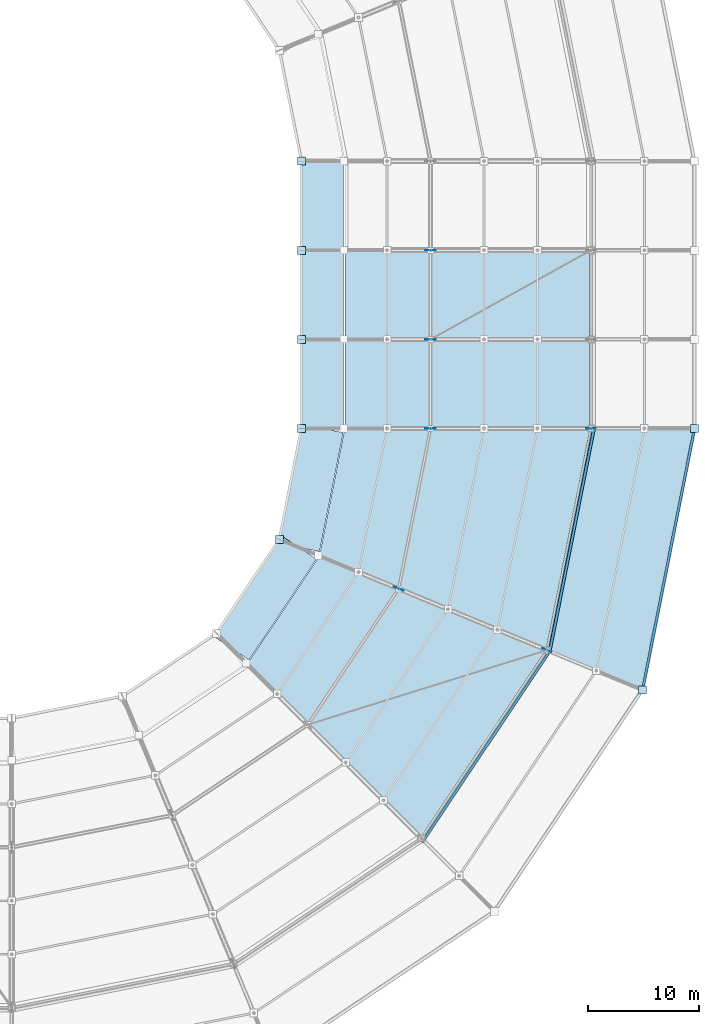
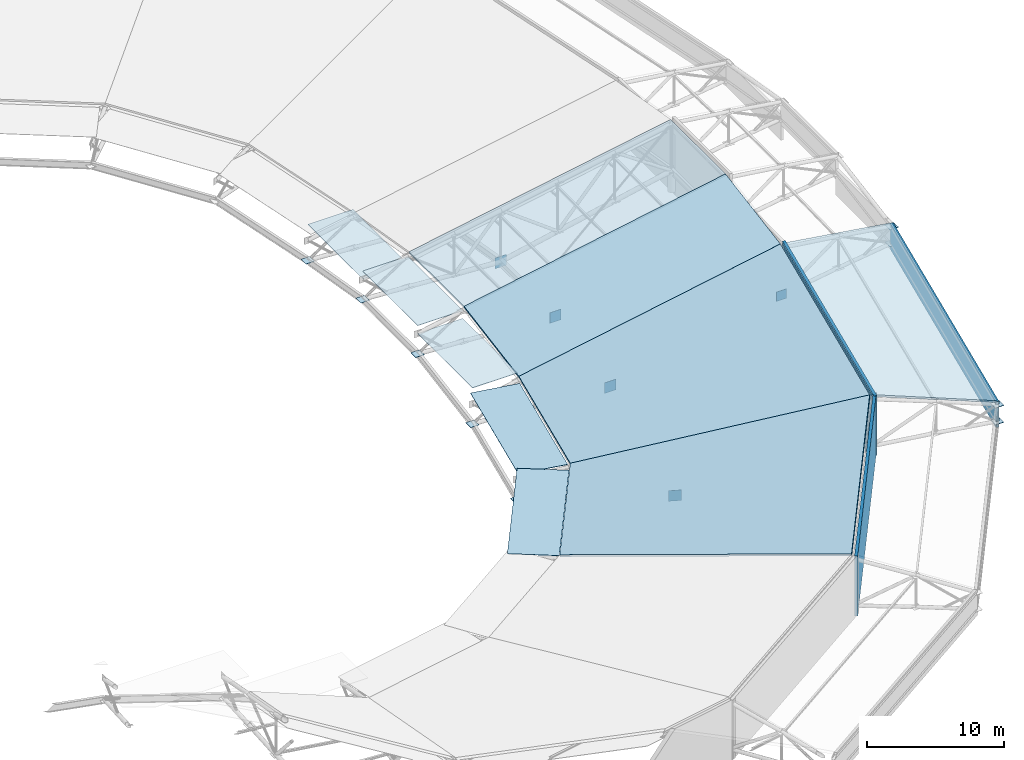
# One storey, part 115 of 146: 23 plates, 5 slabs.
"""IFC4 building model written with IfcOpenShell, lengths in metres."""

from ifc_helpers import new_model, si_unit, direction, frame, origin, origin_2d, place, context, subcontext, project, spatial, polyline, rectangle, outline, extrude, material, layer, layer_set, type_object, element, save


model = new_model("IFC4")

# Units and contexts
model_context = context("Model", 3, precision=1e-05, world=origin(), true_north=direction((0.0, 1.0)))
body_context = subcontext(model_context, "Body", "Model", "MODEL_VIEW")
ifc_project = project(units=[si_unit("LENGTHUNIT", "METRE"), si_unit("AREAUNIT", "SQUARE_METRE"), si_unit("VOLUMEUNIT", "CUBIC_METRE"), si_unit("PLANEANGLEUNIT", "RADIAN"), si_unit("MASSUNIT", "GRAM", prefix="KILO")], contexts=[model_context])

# Site, building, storey
site_placement = place(None, origin())
site = spatial("IfcSite", under=ifc_project, at=site_placement, CompositionType="ELEMENT")
building_placement = place(site_placement, origin())
building = spatial("IfcBuilding", under=site, at=building_placement, Name="Candeia Ridge Stadium", CompositionType="ELEMENT")
storey_placement = place(building_placement, frame((0.0, 0.0, 31.800048828125)))
storey = spatial("IfcBuildingStorey", under=building, at=storey_placement, Name="RF", CompositionType="ELEMENT", Elevation=31.800048828125)

# Plates
ifc_material_1 = material(Name="Aluminium Anodized Warm Bronze", Category="aluminium")
ifc_layer_1 = layer(ifc_material_1, 0.239990234375, Name="Aluminium Anodized Warm Bronze", Category="aluminium")
ifc_layer_set_1 = layer_set([ifc_layer_1], Name="Aluminium Anodized Warm Bronze")
plate_type_1 = type_object("IfcPlateType", Name="Crown Perforated Bronze Acoustic Screen", PredefinedType="SHEET", material=ifc_layer_set_1)
for number, where, z_axis, x_axis, name in (
    (1, (183.634033203125, 42.512939453125, -0.3251953125), (0.0, 0.0, 1.0), (0.555570210802, 0.831469627148, 0.0), "Crown perforated bronze acoustic screen RF bay 28"),
    (2, (191.290283203125, 60.99658203125, -0.3251953125), (0.0, 0.0, 1.0), (0.195090318644, 0.980785281074, 0.0), "Crown perforated bronze acoustic screen RF bay 29"),
):
    element("IfcPlate", number, at=place(storey_placement, frame(where, z_axis=z_axis, x_axis=x_axis)), inside=storey, type_object=plate_type_1, Name=name, PredefinedType="SHEET", context=body_context, shape_type="SweptSolid", body=[
        extrude(rectangle(XDim=20.798583984375, YDim=0.239990234375, at=origin_2d()), origin(), (0.0, 0.0, 1.0), 5.330078125),
    ])
plate_1_placement = place(storey_placement, frame((199.966796875, 59.270751953125, 1.25), z_axis=(0.0, 0.0, 1.0), x_axis=(0.195090339048, 0.980785277015, 0.0)))
element("IfcPlate", 3, at=plate_1_placement, inside=storey, type_object=plate_type_1, Name="Saddle roof outer eaves warm-bronze fascia bay 29", PredefinedType="SHEET", context=body_context, shape_type="SweptSolid", body=[
    extrude(rectangle(XDim=23.97802734375, YDim=0.239990234375, at=origin_2d()), origin(), (0.0, 0.0, 1.0), 2.300048828125),
])
ifc_material_2 = material(Name="Steel ASTM A572 Grade 50", Category="steel")
ifc_layer_2 = layer(ifc_material_2, 0.02490234375, Name="Steel ASTM A572 Grade 50", Category="steel")
ifc_layer_set_2 = layer_set([ifc_layer_2], Name="Steel ASTM A572 Grade 50")
plate_type_2 = type_object("IfcPlateType", Name="Hollow Section End Closure Plate CP2", PredefinedType="SHEET", material=ifc_layer_set_2)
for number, where, z_axis, x_axis, name in (
    (4, (165.020751953125, 61.05029296875, -1.972412109375), (0.0, 0.0, 1.0), (1.0, 0.0, 0.0), "Hollow section end closure plate BCAP-TIP-28"),
    (5, (197.6337890625, 47.54150390625, 3.2685546875), (0.0, 0.0, 1.0), (1.0, 0.0, 0.0), "Hollow section end closure plate TCAP-EAVE-28"),
    (6, (197.6337890625, 47.54150390625, 1.7685546875), (0.0, 0.0, 1.0), (1.0, 0.0, 0.0), "Hollow section end closure plate BCAP-EAVE-28"),
    (7, (167.0, 71.0, -1.972412109375), (0.0, 0.0, 1.0), (1.0, 0.0, 0.0), "Hollow section end closure plate BCAP-TIP-29"),
    (8, (202.300048828125, 71.0, 3.2685546875), (0.0, 0.0, 1.0), (1.0, 0.0, 0.0), "Hollow section end closure plate TCAP-EAVE-29"),
    (9, (202.300048828125, 71.0, 1.7685546875), (0.0, 0.0, 1.0), (1.0, 0.0, 0.0), "Hollow section end closure plate BCAP-EAVE-29"),
    (10, (167.0, 79.0, -0.5869140625), (0.0, 0.0, 1.0), (1.0, 0.0, 0.0), "Hollow section end closure plate BCAP-TIP-30"),
    (11, (167.0, 87.0, -0.5869140625), (0.0, 0.0, 1.0), (1.0, 0.0, 0.0), "Hollow section end closure plate BCAP-TIP-31"),
    (12, (167.0, 95.0, -1.972412109375), (0.0, 0.0, 1.0), (1.0, 0.0, 0.0), "Hollow section end closure plate BCAP-TIP-32"),
):
    element("IfcPlate", number, at=place(storey_placement, frame(where, z_axis=z_axis, x_axis=x_axis)), inside=storey, type_object=plate_type_2, Name=name, PredefinedType="SHEET", context=body_context, shape_type="SweptSolid", body=[
        extrude(rectangle(XDim=0.719970703125, YDim=0.719970703125, at=origin_2d()), origin(), (0.0, 0.0, 1.0), 0.02490234375),
    ])
ifc_material_3 = material(Name="Polycarbonate Multiwall Glazing", Category="glass")
ifc_layer_3 = layer(ifc_material_3, 0.034912109375, Name="Polycarbonate Multiwall Glazing", Category="glass")
ifc_layer_set_3 = layer_set([ifc_layer_3], Name="Polycarbonate Multiwall Glazing")
plate_type_3 = type_object("IfcPlateType", Name="Inner Roof Polycarbonate Daylight Panel DP1", PredefinedType="SHEET", material=ifc_layer_set_3)
plate_2_placement = place(storey_placement, frame((167.838134765625, 65.66162109375, 0.52392578125), z_axis=(0.0, 0.0, 1.0), x_axis=(0.195090311899, 0.980785282416, 0.0)))
element("IfcPlate", 13, at=plate_2_placement, inside=storey, type_object=plate_type_3, Name="Inner roof polycarbonate daylight ring panel 29", PredefinedType="SHEET", context=body_context, shape_type="SweptSolid", body=[
    extrude(rectangle(XDim=10.885986328125, YDim=3.800048828125, at=origin_2d()), origin(), (0.0, 0.0, 1.0), 0.034912109375),
])
plate_3_placement = place(storey_placement, frame((168.89990234375, 83.0, 1.90966796875), z_axis=(0.0, 0.0, 1.0), x_axis=(0.0, 1.0, 0.0)))
element("IfcPlate", 14, at=plate_3_placement, inside=storey, type_object=plate_type_3, Name="Inner roof polycarbonate daylight ring panel 31", PredefinedType="SHEET", context=body_context, shape_type="SweptSolid", body=[
    extrude(rectangle(XDim=8.0, YDim=3.800048828125, at=origin_2d()), origin(), (0.0, 0.0, 1.0), 0.034912109375),
])
ifc_layer_4 = layer(ifc_material_3, 0.034912109375, Name="Polycarbonate Multiwall Glazing", Category="glass")
ifc_layer_set_4 = layer_set([ifc_layer_4], Name="Polycarbonate Multiwall Glazing")
plate_type_4 = type_object("IfcPlateType", Name="Inner Roof Polycarbonate Daylight Panel DP2", PredefinedType="SHEET", material=ifc_layer_set_4)
plate_4_placement = place(storey_placement, frame((163.752197265625, 55.79736328125, 0.52392578125), z_axis=(0.0, 0.0, 1.0), x_axis=(0.555570267906, 0.831469588992, 0.0)))
element("IfcPlate", 15, at=plate_4_placement, inside=storey, type_object=plate_type_4, Name="Inner roof polycarbonate daylight ring panel 28", PredefinedType="SHEET", context=body_context, shape_type="SweptSolid", body=[
    extrude(rectangle(XDim=10.885986328125, YDim=3.800048828125, at=origin_2d()), origin(), (0.0, 0.0, 1.0), 0.034912109375),
])
for number, where, z_axis, x_axis, name in (
    (16, (168.89990234375, 75.0, 1.216796875), (0.0, 0.0, 1.0), (0.0, 1.0, 0.0), "Inner roof polycarbonate daylight ring panel 30"),
    (17, (168.89990234375, 91.0, 1.216796875), (0.0, 0.0, 1.0), (0.0, 1.0, 0.0), "Inner roof polycarbonate daylight ring panel 32"),
):
    element("IfcPlate", number, at=place(storey_placement, frame(where, z_axis=z_axis, x_axis=x_axis)), inside=storey, type_object=plate_type_4, Name=name, PredefinedType="SHEET", context=body_context, shape_type="SweptSolid", body=[
        extrude(rectangle(XDim=8.0, YDim=3.800048828125, at=origin_2d()), origin(), (0.0, 0.0, 1.0), 0.034912109375),
    ])
ifc_layer_5 = layer(ifc_material_2, 0.031982421875, Name="Steel ASTM A572 Grade 50", Category="steel")
ifc_layer_set_5 = layer_set([ifc_layer_5], Name="Steel ASTM A572 Grade 50")
plate_type_5 = type_object("IfcPlateType", Name="Roof Truss Inner Support Node Gusset ND-1", PredefinedType="USERDEFINED", material=ifc_layer_set_5)
for number, where, z_axis, x_axis, name in (
    (18, (175.73779296875, 56.611083984375, -3.13916015625), (0.0, 0.0, 1.0), (0.923879532077, -0.382683433413, 0.0), "Roof truss inner support node ND-1 bay 29"),
    (19, (178.60009765625, 71.0, -3.13916015625), (0.0, 0.0, 1.0), (1.0, 0.0, 0.0), "Roof truss inner support node ND-1 bay 30"),
    (20, (178.60009765625, 79.0, -1.75341796875), (0.0, 0.0, 1.0), (1.0, 0.0, 0.0), "Roof truss inner support node ND-1 bay 31"),
    (21, (178.60009765625, 87.0, -1.75341796875), (0.0, 0.0, 1.0), (1.0, 0.0, 0.0), "Roof truss inner support node ND-1 bay 32"),
):
    element("IfcPlate", number, at=place(storey_placement, frame(where, z_axis=z_axis, x_axis=x_axis)), inside=storey, type_object=plate_type_5, Name=name, ObjectType="GUSSET PLATE", PredefinedType="USERDEFINED", context=body_context, shape_type="SweptSolid", body=[
        extrude(rectangle(XDim=0.949951171875, YDim=0.031982421875, at=origin_2d()), origin(), (0.0, 0.0, 1.0), 0.949951171875),
    ])
ifc_layer_6 = layer(ifc_material_2, 0.028076171875, Name="Steel ASTM A572 Grade 50", Category="steel")
ifc_layer_set_6 = layer_set([ifc_layer_6], Name="Steel ASTM A572 Grade 50")
plate_type_6 = type_object("IfcPlateType", Name="Roof Truss Outer Tie Node Gusset ND-2", PredefinedType="USERDEFINED", material=ifc_layer_set_6)
for number, where, z_axis, x_axis, name in (
    (22, (189.041748046875, 51.100341796875, -0.025146484375), (0.0, 0.0, 1.0), (0.923879532077, -0.382683433413, 0.0), "Roof truss outer support node ND-2 bay 29"),
    (23, (193.0, 71.0, -0.025146484375), (0.0, 0.0, 1.0), (1.0, 0.0, 0.0), "Roof truss outer support node ND-2 bay 30"),
):
    element("IfcPlate", number, at=place(storey_placement, frame(where, z_axis=z_axis, x_axis=x_axis)), inside=storey, type_object=plate_type_6, Name=name, ObjectType="GUSSET PLATE", PredefinedType="USERDEFINED", context=body_context, shape_type="SweptSolid", body=[
        extrude(rectangle(XDim=0.85009765625, YDim=0.028076171875, at=origin_2d()), origin(), (0.0, 0.0, 1.0), 0.85009765625),
    ])

# Slabs
ifc_layer_7 = layer(ifc_material_2, 0.1650390625, Name="Steel ASTM A572 Grade 50", Category="steel")
ifc_layer_set_7 = layer_set([ifc_layer_7], Name="Steel ASTM A572 Grade 50")
slab_type_1 = type_object("IfcSlabType", Name="Saddle Eaves Roof Deck 165", PredefinedType="ROOF", material=ifc_layer_set_7)
slab_1_placement = place(storey_placement, frame((189.115966796875, 51.070068359375, 4.988037109375), z_axis=(0.148820532569, -0.029601315607, 0.988421069788), x_axis=(0.195081003438, 0.980787133937, 5.36886e-07)))
element("IfcSlab", 24, at=slab_1_placement, inside=storey, type_object=slab_type_1, Name="Stadium saddle roof eave deck bay 29", PredefinedType="ROOF", context=body_context, shape_type="SweptSolid", body=[
    extrude(outline(polyline([(0.0, 0.0), (20.320343349009452, 0.0), (22.118983740149393, -9.148759817575172), (-1.7985795203383441, -9.148603290923226), (0.0, 0.0)])), origin(), (0.0, 0.0, -1.0), 0.1650390625),
])
ifc_layer_8 = layer(ifc_material_2, 0.179931640625, Name="Steel ASTM A572 Grade 50", Category="steel")
ifc_layer_set_8 = layer_set([ifc_layer_8], Name="Steel ASTM A572 Grade 50")
slab_type_2 = type_object("IfcSlabType", Name="Saddle Roof Structural Deck 180", PredefinedType="ROOF", material=ifc_layer_set_8)
slab_2_placement = place(storey_placement, frame((162.14208984375, 49.85791015625, 0.911865234375), z_axis=(-0.154087355623, 0.102962524473, 0.982677874683), x_axis=(0.555597739994, 0.831451232069, 2.308707e-06)))
element("IfcSlab", 25, at=slab_2_placement, inside=storey, type_object=slab_type_2, Name="Stadium saddle roof main deck bay 28", PredefinedType="ROOF", context=body_context, shape_type="SweptSolid", body=[
    extrude(outline(polyline([(0.0, 0.0), (11.666586999361916, 0.0), (15.96303241313474, -21.97776898157144), (-4.2952503665443444, -21.978166695986005), (0.0, 0.0)])), origin(), (0.0, 0.0, -1.0), 0.179931640625),
])
slab_3_placement = place(storey_placement, frame((168.6240234375, 59.55810546875, 0.911865234375), z_axis=(-0.181763338981, 0.036153116313, 0.98267748564), x_axis=(0.19508557751, 0.980786224132, 9.43866e-07)))
element("IfcSlab", 26, at=slab_3_placement, inside=storey, type_object=slab_type_2, Name="Stadium saddle roof main deck bay 29", PredefinedType="ROOF", context=body_context, shape_type="SweptSolid", body=[
    extrude(outline(polyline([(0.0, 0.0), (11.666043684987503, 4.440892098500626e-16), (15.961835756381939, -21.977641905484266), (-4.296263736213774, -21.977804497045955), (0.0, 0.0)])), origin(), (0.0, 0.0, -1.0), 0.179931640625),
])
slab_4_placement = place(storey_placement, frame((170.89990234375, 71.0, 0.911865234375), z_axis=(-0.179344694406, -0.167822723157, 0.969366295154), x_axis=(0.0, 0.985342342027, 0.170588595774)))
element("IfcSlab", 27, at=slab_4_placement, inside=storey, type_object=slab_type_2, Name="Stadium saddle roof main deck bay 30", PredefinedType="ROOF", context=body_context, shape_type="SweptSolid", body=[
    extrude(outline(polyline([(0.0, 0.0), (8.119005607269688, 0.0), (8.813979215101714, -22.382929677745068), (0.6949736078320268, -22.382929677745064), (0.0, 0.0)])), origin(), (0.0, 0.0, -1.0), 0.179931640625),
])
slab_5_placement = place(storey_placement, frame((170.89990234375, 79.0, 2.296875), z_axis=(-0.181924900567, 0.0, 0.983312427743), x_axis=(0.0, 1.0, 0.0)))
element("IfcSlab", 28, at=slab_5_placement, inside=storey, type_object=slab_type_2, Name="Stadium saddle roof main deck bay 31", PredefinedType="ROOF", context=body_context, shape_type="SweptSolid", body=[
    extrude(outline(polyline([(0.0, 0.0), (8.0, 0.0), (8.0, -22.393716289943118), (0.0, -22.393716289943118), (0.0, 0.0)])), origin(), (0.0, 0.0, -1.0), 0.179931640625),
])

save(model, "model.ifc")
